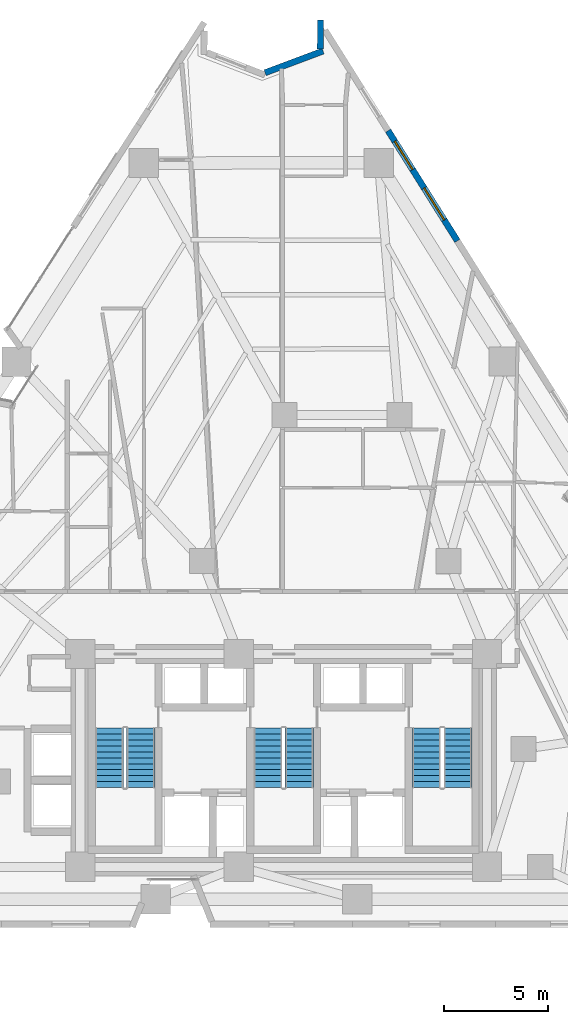
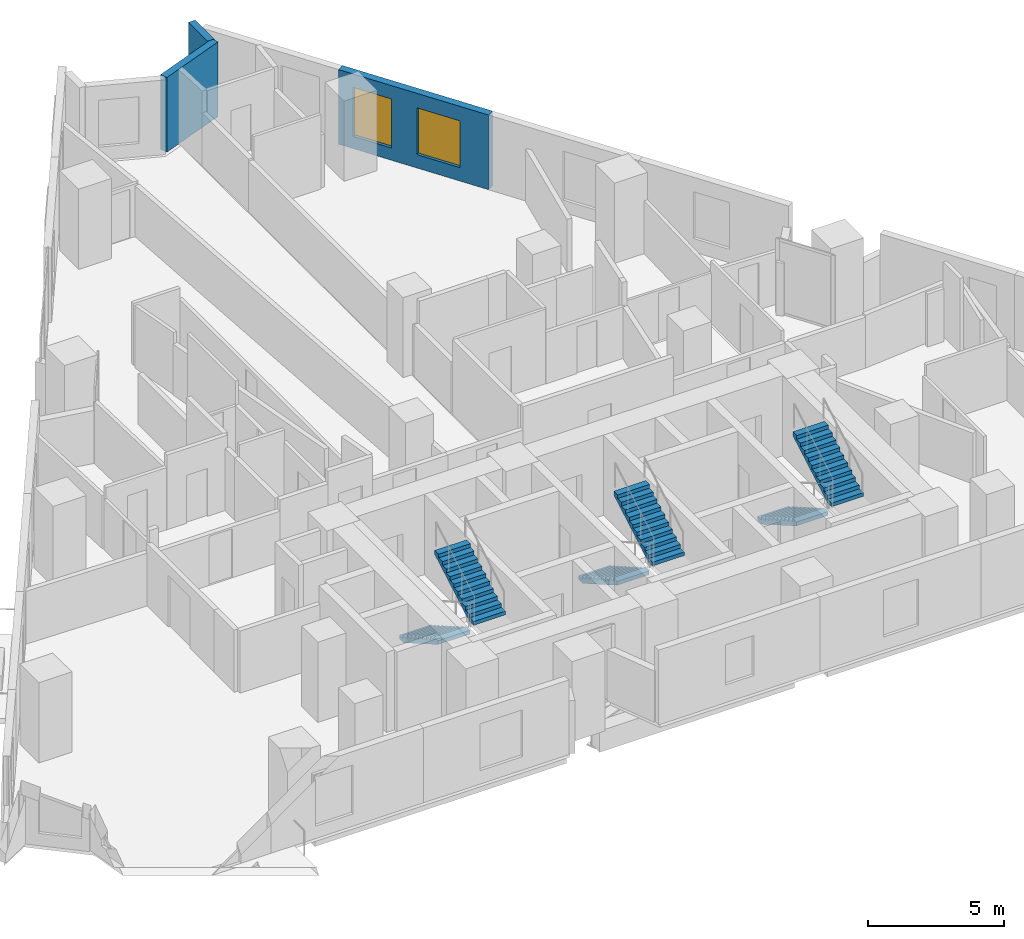
# One storey, part 10 of 14: 6 stair flights, 3 walls, 2 windows, 2 openings, 3 elements without a shape of their own.
"""IFC4 building model written with IfcOpenShell, lengths in metres."""

from ifc_helpers import new_model, si_unit, direction, frame, frame_2d, origin, place, context, subcontext, project, spatial, polyline, rectangle, outline, extrude, material, layer, layer_set, type_object, element, fill, aggregate, save


model = new_model("IFC4")

# Units and contexts
model_context = context("Model", 3, precision=1e-05, world=origin(), true_north=direction((0.0, 1.0)))
body_context = subcontext(model_context, "Body", "Model", "MODEL_VIEW")
ifc_project = project(units=[si_unit("LENGTHUNIT", "METRE"), si_unit("AREAUNIT", "SQUARE_METRE"), si_unit("VOLUMEUNIT", "CUBIC_METRE"), si_unit("PLANEANGLEUNIT", "RADIAN"), si_unit("MASSUNIT", "GRAM", prefix="KILO")], contexts=[model_context])

# Site, building, storey
site_placement = place(None, origin())
site = spatial("IfcSite", under=ifc_project, at=site_placement, CompositionType="ELEMENT")
building_placement = place(site_placement, origin())
building = spatial("IfcBuilding", under=site, at=building_placement, Name="Almagre Mirador Tower", CompositionType="ELEMENT")
storey_placement = place(building_placement, frame((0.0, 0.0, 67.800048828125)))
storey = spatial("IfcBuildingStorey", under=building, at=storey_placement, Name="L16", CompositionType="ELEMENT", Elevation=67.800048828125)

# Walls
ifc_material_1 = material(Name="Precast concrete C50/60", Category="concrete")
ifc_layer = layer(ifc_material_1, 0.300048828125)
ifc_layer_set = layer_set([ifc_layer], Name="Precast concrete C50/60")
wall_type = type_object("IfcWallType", Name="WAL-EXT-300", PredefinedType="SOLIDWALL", material=ifc_layer_set)
wall_1_placement = place(storey_placement, frame((36.409423828125, 42.608642578125, 0.0), z_axis=(0.0, 0.0, 1.0), x_axis=(0.936403459864, 0.350925291699, 0.0)))
element("IfcWall", 1, at=wall_1_placement, inside=storey, type_object=wall_type, Name="L16 expressed almagre precast frame wall 07", PredefinedType="SOLIDWALL", context=body_context, shape_type="SweptSolid", body=[
    extrude(rectangle(XDim=2.970703125, YDim=0.300048828125, at=frame_2d((1.4853515625, 0.0))), origin(), (0.0, 0.0, 1.0), 3.349853515625),
])
wall_2_placement = place(storey_placement, frame((39.060546875, 43.737060546875, 0.0), z_axis=(0.0, 0.0, 1.0), x_axis=(0.004359916705, 0.999990495518, 0.0)))
element("IfcWall", 2, at=wall_2_placement, inside=storey, type_object=wall_type, Name="L16 expressed almagre precast frame wall 08", PredefinedType="SOLIDWALL", context=body_context, shape_type="SweptSolid", body=[
    extrude(rectangle(XDim=1.39990234375, YDim=0.300048828125, at=frame_2d((0.699951171875, 0.0))), origin(), (0.0, 0.0, 1.0), 3.349853515625),
])

# Wall, openings, windows
wall_3_placement = place(storey_placement, frame((42.3095703125, 39.833251953125, 0.0), z_axis=(0.0, 0.0, 1.0), x_axis=(0.531897384848, -0.846808816671, 0.0)))
wall_3 = element("IfcWall", 3, at=wall_3_placement, inside=storey, type_object=wall_type, Name="L16 expressed almagre precast frame wall 10", PredefinedType="SOLIDWALL", context=body_context, shape_type="SweptSolid", body=[
    extrude(rectangle(XDim=6.23779296875, YDim=0.300048828125, at=frame_2d((3.118896484375, 0.0))), origin(), (0.0, 0.0, 1.0), 3.349853515625),
])
opening_1_placement = place(wall_3_placement, frame((0.60009765625, 0.0, 0.550048828125)))
opening_1 = element("IfcOpeningElement", 4, at=opening_1_placement, cuts=wall_3, Name="Opening WN-06", PredefinedType="OPENING", context=body_context, shape_type="SweptSolid", body=[
    extrude(rectangle(XDim=1.60009765625, YDim=2.199951171875, at=frame_2d((0.800048828125, 1.10009765625))), frame((0.0, 0.159902, 0.0), z_axis=(0.0, -1.0, 0.0), x_axis=(1.0, 0.0, 0.0)), (0.0, 0.0, 1.0), 0.320049),
])
opening_2_placement = place(wall_3_placement, frame((3.25, 0.0, 0.60009765625)))
opening_2 = element("IfcOpeningElement", 5, at=opening_2_placement, cuts=wall_3, Name="Opening WN-01", PredefinedType="OPENING", context=body_context, shape_type="SweptSolid", body=[
    extrude(rectangle(XDim=1.800048828125, YDim=2.10009765625, at=frame_2d((0.89990234375, 1.050048828125))), frame((0.0, 0.159902, 0.0), z_axis=(0.0, -1.0, 0.0), x_axis=(1.0, 0.0, 0.0)), (0.0, 0.0, 1.0), 0.320049),
])
ifc_material_2 = material(Name="Dark solar-control laminated hurricane glass", Category="glass")
window_type_1 = type_object("IfcWindowType", Name="WIN-1600X2200", PartitioningType="DOUBLE_PANEL_VERTICAL", PredefinedType="WINDOW", material=ifc_material_2)
window_1_placement = place(opening_1_placement, origin())
window_1 = element("IfcWindow", 6, at=window_1_placement, inside=storey, type_object=window_type_1, Name="L16 recessed hurricane window L16-UM-LV", OverallHeight=2.199951171875, OverallWidth=1.60009765625, PartitioningType="SINGLE_PANEL", PredefinedType="WINDOW", context=body_context, shape_type="SweptSolid", body=[
    extrude(rectangle(XDim=1.60009765625, YDim=2.199951171875, at=frame_2d((0.800048828125, 1.10009765625))), frame((0.0, 0.030029296875, 0.0), z_axis=(0.0, -1.0, 0.0), x_axis=(1.0, 0.0, 0.0)), (0.0, 0.0, 1.0), 0.06005859375),
])
fill(opening_1, window_1)
ifc_material_3 = material(Name="Dark solar-control laminated hurricane glass", Category="glass")
window_type_2 = type_object("IfcWindowType", Name="WIN-1800X2100", PartitioningType="DOUBLE_PANEL_VERTICAL", PredefinedType="WINDOW", material=ifc_material_3)
window_2_placement = place(opening_2_placement, origin())
window_2 = element("IfcWindow", 7, at=window_2_placement, inside=storey, type_object=window_type_2, Name="L16 recessed hurricane window L16-UM-KT", OverallHeight=2.10009765625, OverallWidth=1.800048828125, PartitioningType="SINGLE_PANEL", PredefinedType="WINDOW", context=body_context, shape_type="SweptSolid", body=[
    extrude(rectangle(XDim=1.800048828125, YDim=2.10009765625, at=frame_2d((0.89990234375, 1.050048828125))), frame((0.0, 0.030029296875, 0.0), z_axis=(0.0, -1.0, 0.0), x_axis=(1.0, 0.0, 0.0)), (0.0, 0.0, 1.0), 0.06005859375),
])
fill(opening_2, window_2)

# Stair, stair flights
ifc_material_4 = material(Name="Concrete C45/55", Category="concrete")
stair_type = type_object("IfcStairType", Name="STR-DL-3600", PredefinedType="HALF_TURN_STAIR", material=ifc_material_4)
stair_1_placement = place(storey_placement, origin())
stair_1 = element("IfcStair", 8, at=stair_1_placement, inside=storey, type_object=stair_type, Name="L16 Protected exit stair ST-1", PredefinedType="HALF_TURN_STAIR")
ifc_material_5 = material(Name="Concrete C45/55", Category="concrete")
stair_flight_type = type_object("IfcStairFlightType", Name="FLT-DL-3600", PredefinedType="STRAIGHT", material=ifc_material_5)
stair_flight_1_placement = place(storey_placement, frame((28.949951171875, 11.199951171875, 0.0), z_axis=(0.0, 0.0, 1.0), x_axis=(0.0, -1.0, 0.0)))
stair_flight_1 = element("IfcStairFlight", 9, at=stair_flight_1_placement, type_object=stair_flight_type, Name="ST-1 flight 1", NumberOfRisers=11, NumberOfTreads=10, PredefinedType="STRAIGHT", RiserHeight=0.163636364, TreadLength=0.285, context=body_context, shape_type="SweptSolid", body=[
    extrude(outline(polyline([(0.0, 0.0), (0.0, 0.16357421875), (0.284912109375, 0.16357421875), (0.284912109375, 0.327392578125), (0.570068359375, 0.327392578125), (0.570068359375, 0.490966796875), (0.85498046875, 0.490966796875), (0.85498046875, 0.654541015625), (1.139892578125, 0.654541015625), (1.139892578125, 0.818115234375), (1.425048828125, 0.818115234375), (1.425048828125, 0.98193359375), (1.7099609375, 0.98193359375), (1.7099609375, 1.1455078125), (1.9951171875, 1.1455078125), (1.9951171875, 1.30908203125), (2.280029296875, 1.30908203125), (2.280029296875, 1.47265625), (2.56494140625, 1.47265625), (2.56494140625, 1.636474609375), (2.85009765625, 1.636474609375), (2.85009765625, 1.800048828125), (2.85009765625, 1.463623046875), (0.301025390625, 0.0), (0.0, 0.0)])), frame((0.0, 0.675048828125, 0.0), z_axis=(0.0, -1.0, 0.0), x_axis=(1.0, 0.0, 0.0)), (0.0, 0.0, 1.0), 1.35009765625),
])
stair_flight_2_placement = place(storey_placement, frame((30.449951171875, 8.35009765625, 1.800048828125), z_axis=(0.0, 0.0, 1.0), x_axis=(0.0, 1.0, 0.0)))
stair_flight_2 = element("IfcStairFlight", 10, at=stair_flight_2_placement, type_object=stair_flight_type, Name="ST-1 flight 2", NumberOfRisers=11, NumberOfTreads=10, PredefinedType="STRAIGHT", RiserHeight=0.163636364, TreadLength=0.285, context=body_context, shape_type="SweptSolid", body=[
    extrude(outline(polyline([(0.0, 0.0), (0.0, 0.16357421875), (0.284912109375, 0.16357421875), (0.284912109375, 0.327392578125), (0.570068359375, 0.327392578125), (0.570068359375, 0.490966796875), (0.85498046875, 0.490966796875), (0.85498046875, 0.654541015625), (1.139892578125, 0.654541015625), (1.139892578125, 0.818115234375), (1.425048828125, 0.818115234375), (1.425048828125, 0.98193359375), (1.7099609375, 0.98193359375), (1.7099609375, 1.1455078125), (1.9951171875, 1.1455078125), (1.9951171875, 1.30908203125), (2.280029296875, 1.30908203125), (2.280029296875, 1.47265625), (2.56494140625, 1.47265625), (2.56494140625, 1.636474609375), (2.85009765625, 1.636474609375), (2.85009765625, 1.800048828125), (2.85009765625, 1.463623046875), (0.301025390625, 0.0), (0.0, 0.0)])), frame((0.0, 0.675048828125, 0.0), z_axis=(0.0, -1.0, 0.0), x_axis=(1.0, 0.0, 0.0)), (0.0, 0.0, 1.0), 1.35009765625),
])
aggregate(stair_1, [stair_flight_1, stair_flight_2])

stair_2_placement = place(storey_placement, origin())
stair_2 = element("IfcStair", 11, at=stair_2_placement, inside=storey, type_object=stair_type, Name="L16 Protected exit stair ST-2", PredefinedType="HALF_TURN_STAIR")
stair_flight_3_placement = place(storey_placement, frame((36.550048828125, 11.199951171875, 0.0), z_axis=(0.0, 0.0, 1.0), x_axis=(0.0, -1.0, 0.0)))
stair_flight_3 = element("IfcStairFlight", 12, at=stair_flight_3_placement, type_object=stair_flight_type, Name="ST-2 flight 1", NumberOfRisers=11, NumberOfTreads=10, PredefinedType="STRAIGHT", RiserHeight=0.163636364, TreadLength=0.285, context=body_context, shape_type="SweptSolid", body=[
    extrude(outline(polyline([(0.0, 0.0), (0.0, 0.16357421875), (0.284912109375, 0.16357421875), (0.284912109375, 0.327392578125), (0.570068359375, 0.327392578125), (0.570068359375, 0.490966796875), (0.85498046875, 0.490966796875), (0.85498046875, 0.654541015625), (1.139892578125, 0.654541015625), (1.139892578125, 0.818115234375), (1.425048828125, 0.818115234375), (1.425048828125, 0.98193359375), (1.7099609375, 0.98193359375), (1.7099609375, 1.1455078125), (1.9951171875, 1.1455078125), (1.9951171875, 1.30908203125), (2.280029296875, 1.30908203125), (2.280029296875, 1.47265625), (2.56494140625, 1.47265625), (2.56494140625, 1.636474609375), (2.85009765625, 1.636474609375), (2.85009765625, 1.800048828125), (2.85009765625, 1.463623046875), (0.301025390625, 0.0), (0.0, 0.0)])), frame((0.0, 0.675048828125, 0.0), z_axis=(0.0, -1.0, 0.0), x_axis=(1.0, 0.0, 0.0)), (0.0, 0.0, 1.0), 1.35009765625),
])
stair_flight_4_placement = place(storey_placement, frame((38.050048828125, 8.35009765625, 1.800048828125), z_axis=(0.0, 0.0, 1.0), x_axis=(0.0, 1.0, 0.0)))
stair_flight_4 = element("IfcStairFlight", 13, at=stair_flight_4_placement, type_object=stair_flight_type, Name="ST-2 flight 2", NumberOfRisers=11, NumberOfTreads=10, PredefinedType="STRAIGHT", RiserHeight=0.163636364, TreadLength=0.285, context=body_context, shape_type="SweptSolid", body=[
    extrude(outline(polyline([(0.0, 0.0), (0.0, 0.16357421875), (0.284912109375, 0.16357421875), (0.284912109375, 0.327392578125), (0.570068359375, 0.327392578125), (0.570068359375, 0.490966796875), (0.85498046875, 0.490966796875), (0.85498046875, 0.654541015625), (1.139892578125, 0.654541015625), (1.139892578125, 0.818115234375), (1.425048828125, 0.818115234375), (1.425048828125, 0.98193359375), (1.7099609375, 0.98193359375), (1.7099609375, 1.1455078125), (1.9951171875, 1.1455078125), (1.9951171875, 1.30908203125), (2.280029296875, 1.30908203125), (2.280029296875, 1.47265625), (2.56494140625, 1.47265625), (2.56494140625, 1.636474609375), (2.85009765625, 1.636474609375), (2.85009765625, 1.800048828125), (2.85009765625, 1.463623046875), (0.301025390625, 0.0), (0.0, 0.0)])), frame((0.0, 0.675048828125, 0.0), z_axis=(0.0, -1.0, 0.0), x_axis=(1.0, 0.0, 0.0)), (0.0, 0.0, 1.0), 1.35009765625),
])
aggregate(stair_2, [stair_flight_3, stair_flight_4])

stair_3_placement = place(storey_placement, origin())
stair_3 = element("IfcStair", 14, at=stair_3_placement, inside=storey, type_object=stair_type, Name="L16 Protected exit stair ST-3", PredefinedType="HALF_TURN_STAIR")
stair_flight_5_placement = place(storey_placement, frame((44.14990234375, 11.199951171875, 0.0), z_axis=(0.0, 0.0, 1.0), x_axis=(0.0, -1.0, 0.0)))
stair_flight_5 = element("IfcStairFlight", 15, at=stair_flight_5_placement, type_object=stair_flight_type, Name="ST-3 flight 1", NumberOfRisers=11, NumberOfTreads=10, PredefinedType="STRAIGHT", RiserHeight=0.163636364, TreadLength=0.285, context=body_context, shape_type="SweptSolid", body=[
    extrude(outline(polyline([(0.0, 0.0), (0.0, 0.16357421875), (0.284912109375, 0.16357421875), (0.284912109375, 0.327392578125), (0.570068359375, 0.327392578125), (0.570068359375, 0.490966796875), (0.85498046875, 0.490966796875), (0.85498046875, 0.654541015625), (1.139892578125, 0.654541015625), (1.139892578125, 0.818115234375), (1.425048828125, 0.818115234375), (1.425048828125, 0.98193359375), (1.7099609375, 0.98193359375), (1.7099609375, 1.1455078125), (1.9951171875, 1.1455078125), (1.9951171875, 1.30908203125), (2.280029296875, 1.30908203125), (2.280029296875, 1.47265625), (2.56494140625, 1.47265625), (2.56494140625, 1.636474609375), (2.85009765625, 1.636474609375), (2.85009765625, 1.800048828125), (2.85009765625, 1.463623046875), (0.301025390625, 0.0), (0.0, 0.0)])), frame((0.0, 0.675048828125, 0.0), z_axis=(0.0, -1.0, 0.0), x_axis=(1.0, 0.0, 0.0)), (0.0, 0.0, 1.0), 1.35009765625),
])
stair_flight_6_placement = place(storey_placement, frame((45.64990234375, 8.35009765625, 1.800048828125), z_axis=(0.0, 0.0, 1.0), x_axis=(0.0, 1.0, 0.0)))
stair_flight_6 = element("IfcStairFlight", 16, at=stair_flight_6_placement, type_object=stair_flight_type, Name="ST-3 flight 2", NumberOfRisers=11, NumberOfTreads=10, PredefinedType="STRAIGHT", RiserHeight=0.163636364, TreadLength=0.285, context=body_context, shape_type="SweptSolid", body=[
    extrude(outline(polyline([(0.0, 0.0), (0.0, 0.16357421875), (0.284912109375, 0.16357421875), (0.284912109375, 0.327392578125), (0.570068359375, 0.327392578125), (0.570068359375, 0.490966796875), (0.85498046875, 0.490966796875), (0.85498046875, 0.654541015625), (1.139892578125, 0.654541015625), (1.139892578125, 0.818115234375), (1.425048828125, 0.818115234375), (1.425048828125, 0.98193359375), (1.7099609375, 0.98193359375), (1.7099609375, 1.1455078125), (1.9951171875, 1.1455078125), (1.9951171875, 1.30908203125), (2.280029296875, 1.30908203125), (2.280029296875, 1.47265625), (2.56494140625, 1.47265625), (2.56494140625, 1.636474609375), (2.85009765625, 1.636474609375), (2.85009765625, 1.800048828125), (2.85009765625, 1.463623046875), (0.301025390625, 0.0), (0.0, 0.0)])), frame((0.0, 0.675048828125, 0.0), z_axis=(0.0, -1.0, 0.0), x_axis=(1.0, 0.0, 0.0)), (0.0, 0.0, 1.0), 1.35009765625),
])
aggregate(stair_3, [stair_flight_5, stair_flight_6])

save(model, "model.ifc")
